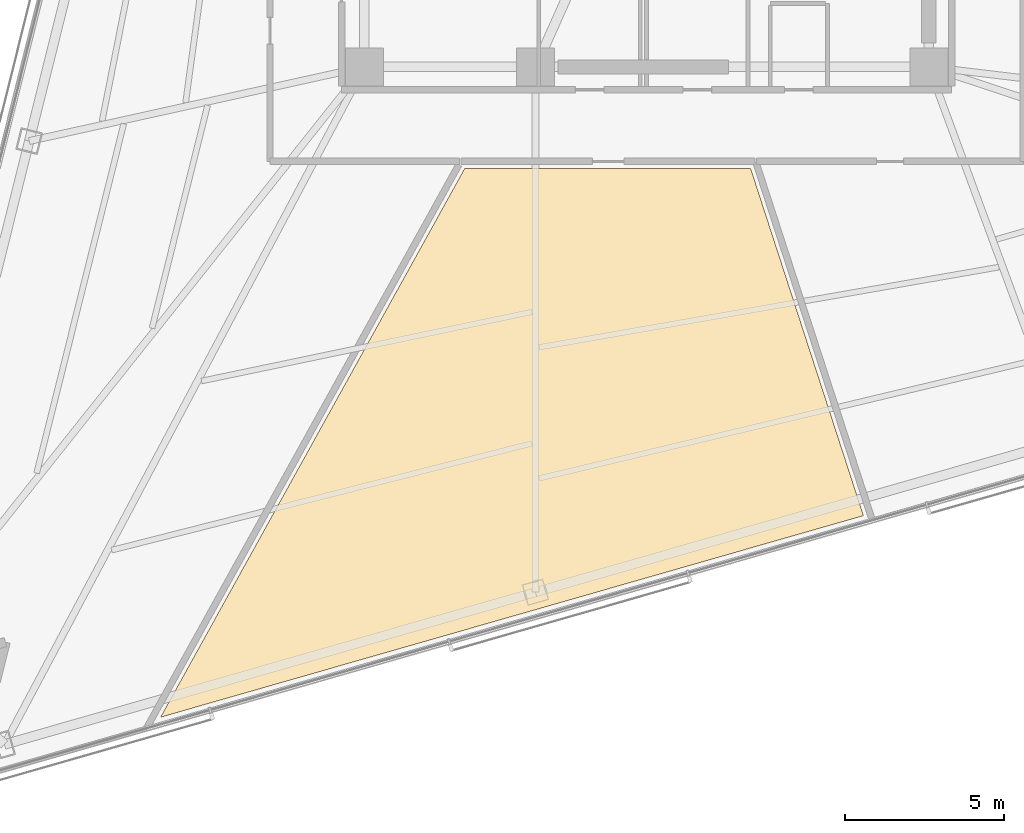
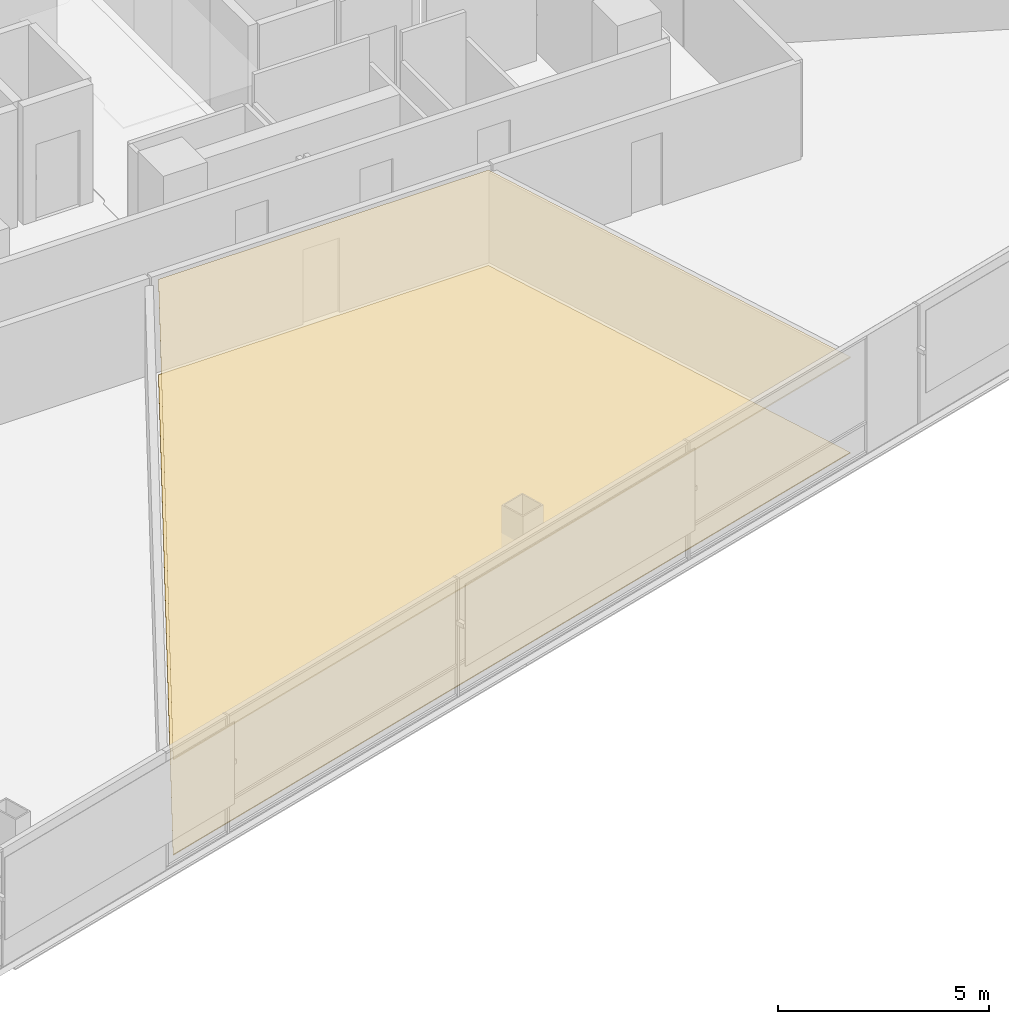
# One storey, part 15 of 17: 2 coverings.
"""IFC4 building model written with IfcOpenShell, lengths in metres."""

from ifc_helpers import new_model, si_unit, direction, frame, origin, place, context, subcontext, project, spatial, polyline, outline, extrude, material, layer, layer_set, type_object, element, save


model = new_model("IFC4")

# Units and contexts
model_context = context("Model", 3, precision=1e-05, world=origin(), true_north=direction((0.0, 1.0)))
body_context = subcontext(model_context, "Body", "Model", "MODEL_VIEW")
ifc_project = project(units=[si_unit("LENGTHUNIT", "METRE"), si_unit("AREAUNIT", "SQUARE_METRE"), si_unit("VOLUMEUNIT", "CUBIC_METRE"), si_unit("PLANEANGLEUNIT", "RADIAN"), si_unit("MASSUNIT", "GRAM", prefix="KILO")], contexts=[model_context])

# Site, building, storey
site_placement = place(None, origin())
site = spatial("IfcSite", under=ifc_project, at=site_placement, CompositionType="ELEMENT")
building_placement = place(site_placement, origin())
building = spatial("IfcBuilding", under=site, at=building_placement, Name="Tharavind Bronze Gate", CompositionType="ELEMENT")
storey_placement = place(building_placement, frame((0.0, 0.0, 96.89990234375)))
storey = spatial("IfcBuildingStorey", under=building, at=storey_placement, Name="L24", CompositionType="ELEMENT", Elevation=96.89990234375)

# Coverings
ifc_material_1 = material(Name="Engineered Oak & Carpet Tile", Category="wood")
ifc_layer_1 = layer(ifc_material_1, 0.02490234375)
ifc_layer_set_1 = layer_set([ifc_layer_1], Name="Engineered Oak & Carpet Tile")
covering_type_1 = type_object("IfcCoveringType", Name="ENGINEERED TIMBER FLOORING", PredefinedType="FLOORING", material=ifc_layer_set_1)
covering_1_placement = place(storey_placement, origin())
element("IfcCovering", 1, at=covering_1_placement, inside=storey, type_object=covering_type_1, Name="L24-RM-05 floor finish", PredefinedType="FLOORING", context=body_context, shape_type="SweptSolid", body=[
    extrude(outline(polyline([(6.83642578125, -21.752197265625), (3.27783203125, -10.800048828125), (-5.735107421875, -10.800048828125), (-15.3291015625, -28.108154296875), (6.83642578125, -21.752197265625)])), origin(), (0.0, 0.0, 1.0), 0.025146484375),
])
ifc_material_2 = material(Name="Acoustic Gypsum Board", Category="gypsum")
ifc_layer_2 = layer(ifc_material_2, 0.030029296875)
ifc_layer_set_2 = layer_set([ifc_layer_2], Name="Acoustic Gypsum Board")
covering_type_2 = type_object("IfcCoveringType", Name="GYPSUM SUSPENDED CEILING", PredefinedType="CEILING", material=ifc_layer_set_2)
covering_2_placement = place(storey_placement, frame((0.0, 0.0, 2.75)))
element("IfcCovering", 2, at=covering_2_placement, inside=storey, type_object=covering_type_2, Name="L24-RM-05 suspended ceiling", PredefinedType="CEILING", context=body_context, shape_type="SweptSolid", body=[
    extrude(outline(polyline([(6.83642578125, -21.752197265625), (3.27783203125, -10.800048828125), (-5.735107421875, -10.800048828125), (-15.3291015625, -28.108154296875), (6.83642578125, -21.752197265625)])), origin(), (0.0, 0.0, 1.0), 0.03515625),
])

save(model, "model.ifc")
